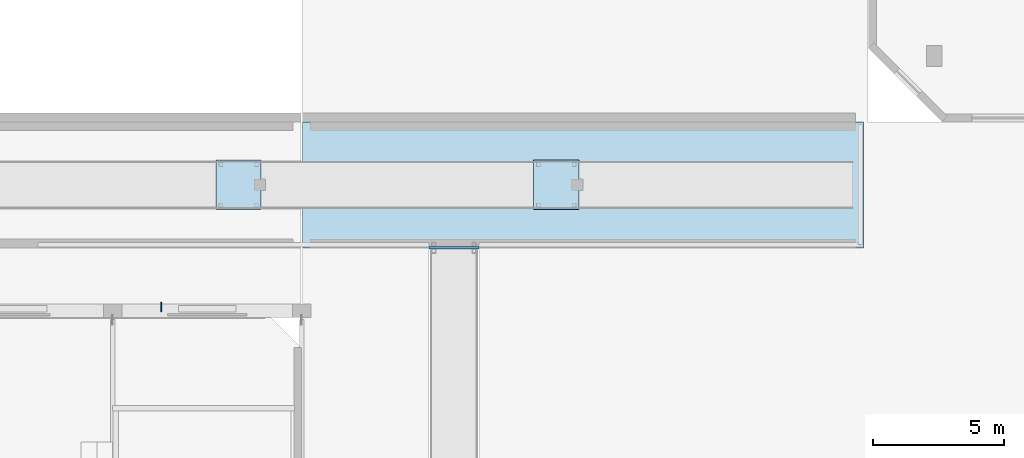
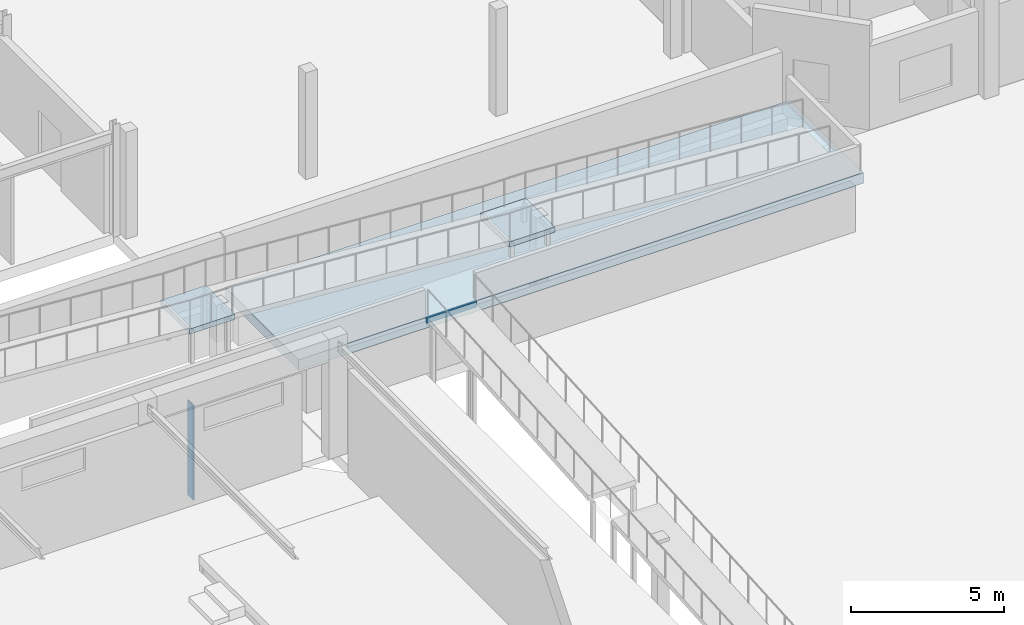
# One storey, part 45 of 85: 4 slabs, 1 plate, 2 elements without a shape of their own.
"""IFC4 building model written with IfcOpenShell, lengths in metres."""

from ifc_helpers import new_model, si_unit, direction, frame, origin, origin_2d, place, context, subcontext, project, spatial, polyline, rectangle, outline, extrude, material, layer, layer_set, type_object, element, aggregate, save


model = new_model("IFC4")

# Units and contexts
model_context = context("Model", 3, precision=1e-05, world=origin(), true_north=direction((0.0, 1.0)))
body_context = subcontext(model_context, "Body", "Model", "MODEL_VIEW")
ifc_project = project(units=[si_unit("LENGTHUNIT", "METRE"), si_unit("AREAUNIT", "SQUARE_METRE"), si_unit("VOLUMEUNIT", "CUBIC_METRE"), si_unit("PLANEANGLEUNIT", "RADIAN"), si_unit("MASSUNIT", "GRAM", prefix="KILO")], contexts=[model_context])

# Site, building, storey
site_placement = place(None, origin())
site = spatial("IfcSite", under=ifc_project, at=site_placement, CompositionType="ELEMENT")
building_placement = place(site_placement, origin())
building = spatial("IfcBuilding", under=site, at=building_placement, Name="Ochrevale Crest", CompositionType="ELEMENT")
storey_placement = place(building_placement, origin())
storey = spatial("IfcBuildingStorey", under=building, at=storey_placement, Name="L00", CompositionType="ELEMENT", Elevation=0.0)

# Plate
ifc_material_1 = material(Name="Precast concrete C40/50", Category="concrete")
ifc_layer_1 = layer(ifc_material_1, 0.050048828125)
ifc_layer_set_1 = layer_set([ifc_layer_1], Name="Precast concrete C40/50")
plate_type = type_object("IfcPlateType", Name="PLT-HALL-FIN-50", PredefinedType="USERDEFINED", material=ifc_layer_set_1)
plate_placement = place(storey_placement, frame((102.64990234375, 64.93994140625, 0.0), z_axis=(0.0, 0.0, 1.0), x_axis=(1.0, 0.0, 0.0)))
element("IfcPlate", 1, at=plate_placement, inside=storey, type_object=plate_type, Name="Community Hall N ochre precast pilaster fin 7", ObjectType="ARCHITECTURAL FIN", PredefinedType="USERDEFINED", context=body_context, shape_type="SweptSolid", body=[
    extrude(rectangle(XDim=0.050048828125, YDim=0.360107421875, at=origin_2d()), origin(), (0.0, 0.0, 1.0), 3.800048828125),
])

# Ramp, slab
ifc_material_2 = material(Name="Concrete C40/50", Category="concrete")
ramp_type = type_object("IfcRampType", Name="RMP-ACC", PredefinedType="USERDEFINED", material=ifc_material_2)
ramp_1_placement = place(storey_placement, origin())
ramp_1 = element("IfcRamp", 2, at=ramp_1_placement, inside=storey, type_object=ramp_type, Name="East hillside Step 1 to Step 2 accessible ramp", ObjectType="ACCESSIBLE RAMP", PredefinedType="USERDEFINED")
ifc_layer_2 = layer(ifc_material_2, 0.2099609375)
ifc_layer_set_2 = layer_set([ifc_layer_2], Name="Concrete C40/50")
slab_type_1 = type_object("IfcSlabType", Name="SLB-EXT-LAND-210", PredefinedType="LANDING", material=ifc_layer_set_2)
slab_1_placement = place(storey_placement, frame((0.0, 0.0, 2.0400390625)))
slab_1 = element("IfcSlab", 3, at=slab_1_placement, type_object=slab_type_1, Name="East hillside Step 1 to Step 2 accessible ramp upper arrival landing", PredefinedType="LANDING", context=body_context, shape_type="SweptSolid", body=[
    extrude(outline(polyline([(112.85009765625, 67.14990234375), (114.75, 67.14990234375), (114.75, 67.25), (112.85009765625, 67.25), (112.85009765625, 67.14990234375)])), origin(), (0.0, 0.0, 1.0), 0.2099609375),
])
aggregate(ramp_1, [slab_1])

# Ramp, slabs
ramp_2_placement = place(storey_placement, origin())
ramp_2 = element("IfcRamp", 4, at=ramp_2_placement, inside=storey, type_object=ramp_type, Name="East hillside Step 2 to Step 3 accessible ramp", ObjectType="ACCESSIBLE RAMP", PredefinedType="USERDEFINED")
slab_2_placement = place(storey_placement, frame((0.0, 0.0, 2.7900390625)))
slab_2 = element("IfcSlab", 5, at=slab_2_placement, type_object=slab_type_1, Name="East hillside Step 2 to Step 3 accessible ramp intermediate landing 1", PredefinedType="LANDING", context=body_context, shape_type="SweptSolid", body=[
    extrude(outline(polyline([(116.840087890625, 68.64990234375), (118.56005859375, 68.64990234375), (118.56005859375, 70.550048828125), (116.840087890625, 70.550048828125), (116.840087890625, 68.64990234375)])), origin(), (0.0, 0.0, 1.0), 0.2099609375),
])
slab_3_placement = place(storey_placement, frame((0.0, 0.0, 3.5400390625)))
slab_3 = element("IfcSlab", 6, at=slab_3_placement, type_object=slab_type_1, Name="East hillside Step 2 to Step 3 accessible ramp intermediate landing 2", PredefinedType="LANDING", context=body_context, shape_type="SweptSolid", body=[
    extrude(outline(polyline([(104.739990234375, 68.64990234375), (106.4599609375, 68.64990234375), (106.4599609375, 70.550048828125), (104.739990234375, 70.550048828125), (104.739990234375, 68.64990234375)])), origin(), (0.0, 0.0, 1.0), 0.2099609375),
])
aggregate(ramp_2, [slab_2, slab_3])

# Slab
ifc_layer_3 = layer(ifc_material_2, 0.419921875)
ifc_layer_set_3 = layer_set([ifc_layer_3], Name="Concrete C40/50")
slab_type_2 = type_object("IfcSlabType", Name="SLB-PLAZA-340", PredefinedType="FLOOR", material=ifc_layer_set_3)
slab_4_placement = place(storey_placement, frame((0.0, 0.0, 1.830078125)))
element("IfcSlab", 7, at=slab_4_placement, inside=storey, type_object=slab_type_2, Name="Central amphitheatre garden bench Step 2 E", PredefinedType="FLOOR", context=body_context, shape_type="SweptSolid", body=[
    extrude(outline(polyline([(108.02490234375, 67.199951171875), (129.39990234375, 67.199951171875), (129.39990234375, 72.0), (108.02490234375, 72.0), (108.02490234375, 67.199951171875)])), origin(), (0.0, 0.0, 1.0), 0.419921875),
])

save(model, "model.ifc")
